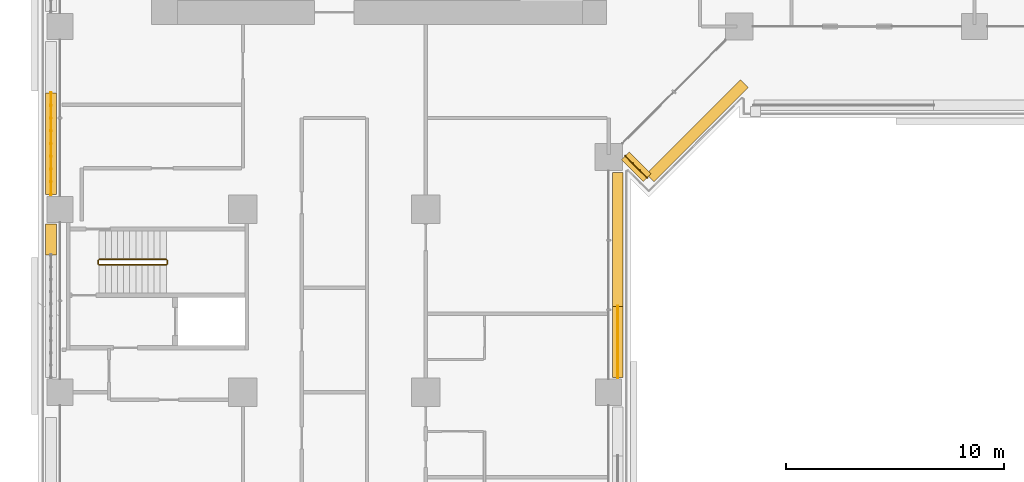
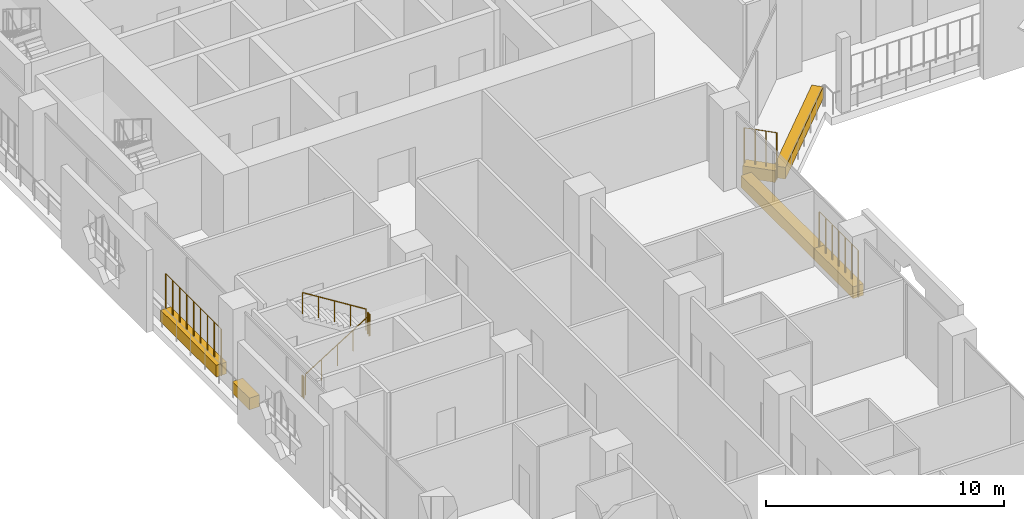
# One storey, part 23 of 29: 7 railings, 6 coverings.
"""IFC4 building model written with IfcOpenShell, lengths in metres."""

import ifcopenshell
import ifcopenshell.guid

model = None  # the IFC model being written
_history = None  # IfcOwnerHistory: only IFC2X3 demands one
_inside = {}  # id of a spatial element -> (the spatial element, [elements in it])
_under = {}  # id of a project, library or spatial element -> (it, [spatial elements below it])
_declared = {}  # id of a project -> (the project, [libraries it declares])
_typed = {}  # id of a type object -> (the type object, [elements of that type])
_made_of = {}  # id of a material, layer set ... -> (it, [elements and type objects made of it])


def new_model(schema):
    """Start an empty IFC model of exactly this schema.

    Asked for "IFC4X3", IfcOpenShell would pick the latest addendum, in which some entities
    have other attributes; the version numbers below select the first issue.
    IFC2X3 requires an IfcOwnerHistory on every rooted entity: one is made here for all.
    """
    global model, _history
    if schema == "IFC4X3":
        model = ifcopenshell.file(schema_version=(4, 3, 0, 0))
    else:
        model = ifcopenshell.file(schema=schema)
    _inside.clear()
    _under.clear()
    _declared.clear()
    _typed.clear()
    _made_of.clear()
    _history = None
    if model.schema == "IFC2X3":
        org = make("IfcOrganization", Name="unknown")
        user = make(
            "IfcPersonAndOrganization",
            ThePerson=make("IfcPerson", FamilyName="unknown"),
            TheOrganization=org,
        )
        app = make(
            "IfcApplication",
            ApplicationDeveloper=org,
            Version="unknown",
            ApplicationFullName="unknown",
            ApplicationIdentifier="unknown",
        )
        _history = make(
            "IfcOwnerHistory",
            OwningUser=user,
            OwningApplication=app,
            ChangeAction="ADDED",
            CreationDate=0,
        )
    return model


def make(cls, **values):
    """One entity of the class cls with the attributes given. An attribute that is None is left unset."""
    return model.create_entity(
        cls, **{name: value for name, value in values.items() if value is not None}
    )


def rooted(cls, **values):
    """An entity with a GlobalId (a new one), such as an element, a storey or a relation."""
    return make(cls, GlobalId=ifcopenshell.guid.new(), OwnerHistory=_history, **values)


def si_unit(unit_type, name, prefix=None):
    """IfcSIUnit, for example si_unit("LENGTHUNIT", "METRE", prefix="MILLI")."""
    return make("IfcSIUnit", UnitType=unit_type, Prefix=prefix, Name=name)


def assignment(units):
    """IfcUnitAssignment: the units of a project."""
    return None if units is None else make("IfcUnitAssignment", Units=units)


def point(xyz):
    """IfcCartesianPoint."""
    return None if xyz is None else make("IfcCartesianPoint", Coordinates=xyz)


def direction(xyz):
    """IfcDirection."""
    return None if xyz is None else make("IfcDirection", DirectionRatios=xyz)


def frame(location, z_axis=None, x_axis=None):
    """IfcAxis2Placement3D, a coordinate frame: its origin and axes. An axis left out is left unset."""
    return make(
        "IfcAxis2Placement3D",
        Location=point(location),
        Axis=direction(z_axis),
        RefDirection=direction(x_axis),
    )


def frame_2d(location, x_axis=None):
    """IfcAxis2Placement2D, a coordinate frame in the plane: its origin and x axis."""
    return make(
        "IfcAxis2Placement2D", Location=point(location), RefDirection=direction(x_axis)
    )


def origin():
    """The frame at (0, 0, 0) with its axes left unset."""
    return frame((0.0, 0.0, 0.0))


def origin_2d():
    """The frame at (0, 0) in the plane with its x axis left unset."""
    return frame_2d((0.0, 0.0))


def place(relative_to, where):
    """IfcLocalPlacement: puts the frame where relative to a parent placement (None: the world)."""
    return make(
        "IfcLocalPlacement", PlacementRelTo=relative_to, RelativePlacement=where
    )


def context(
    kind, dimensions, precision=None, world=None, true_north=None, identifier=None
):
    """IfcGeometricRepresentationContext, for example the 3D "Model" context."""
    return make(
        "IfcGeometricRepresentationContext",
        ContextIdentifier=identifier,
        ContextType=kind,
        CoordinateSpaceDimension=dimensions,
        Precision=precision,
        WorldCoordinateSystem=world,
        TrueNorth=true_north,
    )


def subcontext(parent, identifier, kind, view, scale=None):
    """IfcGeometricRepresentationSubContext, for example "Body" below "Model"."""
    return make(
        "IfcGeometricRepresentationSubContext",
        ContextIdentifier=identifier,
        ContextType=kind,
        ParentContext=parent,
        TargetScale=scale,
        TargetView=view,
    )


def project(units=None, contexts=None):
    """IfcProject with its units and contexts."""
    return rooted(
        "IfcProject",
        Name="project",
        RepresentationContexts=contexts,
        UnitsInContext=assignment(units),
    )


def spatial(cls, under=None, at=None, **own):
    """A site, building, storey or space (cls), placed at a placement, below another one or the project."""
    s = rooted(cls, ObjectPlacement=at, **own)
    if under is not None:
        _under.setdefault(under.id(), (under, []))[1].append(s)
    return s


def profile(cls, at=None, kind="AREA", **sizes):
    """A parametric profile (cls). Its sizes go by their IFC names, for example OverallWidth=200.0."""
    return make(cls, ProfileType=kind, Position=at, **sizes)


def rectangle(**sizes):
    """IfcRectangleProfileDef."""
    return profile("IfcRectangleProfileDef", **sizes)


def circle(**sizes):
    """IfcCircleProfileDef."""
    return profile("IfcCircleProfileDef", **sizes)


def extrude(swept, where, along, depth):
    """IfcExtrudedAreaSolid: the profile swept, set in the frame where, extruded along a direction by depth."""
    return make(
        "IfcExtrudedAreaSolid",
        SweptArea=swept,
        Position=where,
        ExtrudedDirection=direction(along),
        Depth=depth,
    )


def shape(context_of_items, identifier, shape_type, items):
    """IfcShapeRepresentation: the items that make up one representation, for example the "Body"."""
    return make(
        "IfcShapeRepresentation",
        ContextOfItems=context_of_items,
        RepresentationIdentifier=identifier,
        RepresentationType=shape_type,
        Items=items,
    )


def material(Name=None, Category=None):
    """IfcMaterial."""
    return make("IfcMaterial", Name=Name, Category=Category)


def material_profile(
    of_material, cross_section, Name=None, Category=None, Priority=None
):
    """IfcMaterialProfile: a cross section and its material."""
    return make(
        "IfcMaterialProfile",
        Name=Name,
        Material=of_material,
        Profile=cross_section,
        Priority=Priority,
        Category=Category,
    )


def profile_set(profiles, Name=None, composite=None):
    """IfcMaterialProfileSet."""
    return make(
        "IfcMaterialProfileSet",
        Name=Name,
        MaterialProfiles=profiles,
        CompositeProfile=composite,
    )


def made_of(thing, what):
    """Note that an element or type object is made of a material, layer set ...; save() writes the relation."""
    if what is not None:
        _made_of.setdefault(what.id(), (what, []))[1].append(thing)
    return thing


def type_object(cls, material=None, **own):
    """A type object (cls), such as IfcWallType, which elements share."""
    return made_of(rooted(cls, **own), material)


def element(
    cls,
    number,
    at=None,
    inside=None,
    cuts=None,
    type_object=None,
    material=None,
    context=None,
    identifier="Body",
    shape_type=None,
    held_by="IfcProductDefinitionShape",
    body=None,
    shapes=None,
    **own,
):
    """One element of the class cls, such as IfcWall. Its Tag is "e" and its number.

    at: its placement. inside: the storey or other place that contains it. cuts: it is an
    opening in that element (IfcRelVoidsElement). A single representation is given by context,
    identifier, shape_type and body (its items); several are given by shapes. held_by: the class
    of the entity that holds the representations. save() writes the other relations.
    """
    e = rooted(cls, Tag="e%d" % number, ObjectPlacement=at, **own)
    if body is not None:
        shapes = [shape(context, identifier, shape_type, body)]
    if shapes is not None:
        e.Representation = make(held_by, Representations=shapes)
    if inside is not None:
        _inside.setdefault(inside.id(), (inside, []))[1].append(e)
    if cuts is not None:
        rooted(
            "IfcRelVoidsElement", RelatingBuildingElement=cuts, RelatedOpeningElement=e
        )
    if type_object is not None:
        _typed.setdefault(type_object.id(), (type_object, []))[1].append(e)
    return made_of(e, material)


def aggregate(whole, parts):
    """IfcRelAggregates: a whole, such as a stair, and the parts it consists of."""
    return rooted("IfcRelAggregates", RelatingObject=whole, RelatedObjects=parts)


def save(model, path):
    """Write the relations noted so far, then the file.

    IfcRelAggregates (storeys below a building ...), IfcRelContainedInSpatialStructure (elements
    in a storey), IfcRelDefinesByType, IfcRelAssociatesMaterial and IfcRelDeclares: one each for
    every whole, place, type object, material and project.
    """
    for whole, parts in _under.values():
        aggregate(whole, parts)
    for where, things in _inside.values():
        rooted(
            "IfcRelContainedInSpatialStructure",
            RelatedElements=things,
            RelatingStructure=where,
        )
    for kind, things in _typed.values():
        rooted("IfcRelDefinesByType", RelatedObjects=things, RelatingType=kind)
    for what, things in _made_of.values():
        rooted("IfcRelAssociatesMaterial", RelatedObjects=things, RelatingMaterial=what)
    for by, libraries in _declared.values():
        rooted("IfcRelDeclares", RelatingContext=by, RelatedDefinitions=libraries)
    model.write(path)


model = new_model("IFC4")

# Units and contexts
model_context = context("Model", 3, precision=1e-05, world=origin(), true_north=direction((0.0, 1.0)))
body_context = subcontext(model_context, "Body", "Model", "MODEL_VIEW")
ifc_project = project(units=[si_unit("LENGTHUNIT", "METRE"), si_unit("AREAUNIT", "SQUARE_METRE"), si_unit("VOLUMEUNIT", "CUBIC_METRE"), si_unit("PLANEANGLEUNIT", "RADIAN"), si_unit("MASSUNIT", "GRAM", prefix="KILO")], contexts=[model_context])

# Site, building, storey
site_placement = place(None, origin())
site = spatial("IfcSite", under=ifc_project, at=site_placement, CompositionType="ELEMENT")
building_placement = place(site_placement, origin())
building = spatial("IfcBuilding", under=site, at=building_placement, Name="Kawkab Arch Medical Tower", CompositionType="ELEMENT")
storey_placement = place(building_placement, frame((0.0, 0.0, 60.199951171875)))
storey = spatial("IfcBuildingStorey", under=building, at=storey_placement, Name="L13", CompositionType="ELEMENT", Elevation=60.199951171875)

# Coverings
ifc_material_1 = material(Name="Planting soil in a precast trough", Category="concrete")
ifc_material_profile = material_profile(ifc_material_1, rectangle(XDim=0.5, YDim=0.60009765625, at=origin_2d()), Name="Trough 500x600")
ifc_profile_set = profile_set([ifc_material_profile], Name="Planting soil in a precast trough")
covering_type = type_object("IfcCoveringType", Name="Planter trough 500 x 600", PredefinedType="USERDEFINED", material=ifc_profile_set)
covering_1_placement = place(storey_placement, frame((-0.419921875, -35.699951171875, 0.300048828125), z_axis=(0.0, 1.0, 0.0), x_axis=(-1.0, 0.0, 0.0)))
element("IfcCovering", 1, at=covering_1_placement, inside=storey, type_object=covering_type, Name="Planter L13.LOG-01-01.10", ObjectType="PLANTER", PredefinedType="USERDEFINED", context=body_context, shape_type="SweptSolid", body=[
    extrude(rectangle(XDim=0.5, YDim=0.60009765625, at=origin_2d()), origin(), (0.0, 0.0, 1.0), 1.419921875),
])
covering_2_placement = place(storey_placement, frame((-0.419921875, -32.919921875, 0.300048828125), z_axis=(0.0, 1.0, 0.0), x_axis=(-1.0, 0.0, 0.0)))
element("IfcCovering", 2, at=covering_2_placement, inside=storey, type_object=covering_type, Name="Planter L13.LOG-01-01.11", ObjectType="PLANTER", PredefinedType="USERDEFINED", context=body_context, shape_type="SweptSolid", body=[
    extrude(rectangle(XDim=0.5, YDim=0.60009765625, at=origin_2d()), origin(), (0.0, 0.0, 1.0), 4.676025390625),
])
covering_3_placement = place(storey_placement, frame((31.43701171875, -27.820068359375, 0.300048828125), z_axis=(-0.707206504313, -0.707007043994, 0.0), x_axis=(0.707007043994, -0.707206504313, 0.0)))
element("IfcCovering", 3, at=covering_3_placement, inside=storey, type_object=covering_type, Name="Planter L13.LOG-01-01.42", ObjectType="PLANTER", PredefinedType="USERDEFINED", context=body_context, shape_type="SweptSolid", body=[
    extrude(rectangle(XDim=0.5, YDim=0.60009765625, at=origin_2d()), origin(), (0.0, 0.0, 1.0), 6.1201171875),
])
covering_4_placement = place(storey_placement, frame((26.967041015625, -32.14697265625, 0.300048828125), z_axis=(-0.707192746389, 0.707020805532, 0.0), x_axis=(-0.707020805532, -0.707192746389, 0.0)))
element("IfcCovering", 4, at=covering_4_placement, inside=storey, type_object=covering_type, Name="Planter L13.LOG-01-01.43", ObjectType="PLANTER", PredefinedType="USERDEFINED", context=body_context, shape_type="SweptSolid", body=[
    extrude(rectangle(XDim=0.5, YDim=0.60009765625, at=origin_2d()), origin(), (0.0, 0.0, 1.0), 1.419921875),
])
covering_5_placement = place(storey_placement, frame((25.6201171875, -31.905029296875, 0.300048828125), z_axis=(0.0, -1.0, 0.0), x_axis=(1.0, 0.0, 0.0)))
element("IfcCovering", 5, at=covering_5_placement, inside=storey, type_object=covering_type, Name="Planter L13.LOG-01-01.44", ObjectType="PLANTER", PredefinedType="USERDEFINED", context=body_context, shape_type="SweptSolid", body=[
    extrude(rectangle(XDim=0.5, YDim=0.60009765625, at=origin_2d()), origin(), (0.0, 0.0, 1.0), 6.14794921875),
])
covering_6_placement = place(storey_placement, frame((25.6201171875, -38.052978515625, 0.300048828125), z_axis=(0.0, -1.0, 0.0), x_axis=(1.0, 0.0, 0.0)))
element("IfcCovering", 6, at=covering_6_placement, inside=storey, type_object=covering_type, Name="Planter L13.LOG-01-01.45", ObjectType="PLANTER", PredefinedType="USERDEFINED", context=body_context, shape_type="SweptSolid", body=[
    extrude(rectangle(XDim=0.5, YDim=0.60009765625, at=origin_2d()), origin(), (0.0, 0.0, 1.0), 3.26708984375),
])

# Railings
ifc_material_2 = material(Name="Bronze anodised aluminium trellis for climbing plants", Category="aluminium")
railing_type_1 = type_object("IfcRailingType", Name="Planting trellis 2400", PredefinedType="USERDEFINED", material=ifc_material_2)
railing_1_placement = place(storey_placement, frame((-0.419921875, -32.919921875, 0.0)))
element("IfcRailing", 7, at=railing_1_placement, inside=storey, type_object=railing_type_1, Name="Planting trellis L13.LOG-01-01.11", ObjectType="TRELLIS", PredefinedType="USERDEFINED", context=body_context, shape_type="SweptSolid", body=[
    extrude(circle(Radius=0.01513671875, at=origin_2d()), frame((0.0, 0.0, 2.384765625), z_axis=(0.0, 1.0, 0.0), x_axis=(-1.0, 0.0, 0.0)), (0.0, 0.0, 1.0), 4.676025390625),
    extrude(circle(Radius=0.030029296875, at=origin_2d()), origin(), (0.0, 0.0, 1.0), 2.369873046875),
    extrude(circle(Radius=0.030029296875, at=origin_2d()), frame((0.0, 0.58447265625, 0.0)), (0.0, 0.0, 1.0), 2.369873046875),
    extrude(circle(Radius=0.030029296875, at=origin_2d()), frame((0.0, 1.1689453125, 0.0)), (0.0, 0.0, 1.0), 2.369873046875),
    extrude(circle(Radius=0.030029296875, at=origin_2d()), frame((0.0, 1.75341796875, 0.0)), (0.0, 0.0, 1.0), 2.369873046875),
    extrude(circle(Radius=0.030029296875, at=origin_2d()), frame((0.0, 2.337890625, 0.0)), (0.0, 0.0, 1.0), 2.369873046875),
    extrude(circle(Radius=0.030029296875, at=origin_2d()), frame((0.0, 2.922607421875, 0.0)), (0.0, 0.0, 1.0), 2.369873046875),
    extrude(circle(Radius=0.030029296875, at=origin_2d()), frame((0.0, 3.507080078125, 0.0)), (0.0, 0.0, 1.0), 2.369873046875),
    extrude(circle(Radius=0.030029296875, at=origin_2d()), frame((0.0, 4.091552734375, 0.0)), (0.0, 0.0, 1.0), 2.369873046875),
    extrude(circle(Radius=0.030029296875, at=origin_2d()), frame((0.0, 4.676025390625, 0.0)), (0.0, 0.0, 1.0), 2.369873046875),
])
railing_2_placement = place(storey_placement, frame((26.967041015625, -32.14697265625, 0.0)))
element("IfcRailing", 8, at=railing_2_placement, inside=storey, type_object=railing_type_1, Name="Planting trellis L13.LOG-01-01.43", ObjectType="TRELLIS", PredefinedType="USERDEFINED", context=body_context, shape_type="SweptSolid", body=[
    extrude(circle(Radius=0.01513671875, at=origin_2d()), frame((0.0, 0.0, 2.384765625), z_axis=(-0.707192746389, 0.707020805532, 0.0), x_axis=(-0.707020805532, -0.707192746389, 0.0)), (0.0, 0.0, 1.0), 1.419921875),
    extrude(circle(Radius=0.030029296875, at=origin_2d()), origin(), (0.0, 0.0, 1.0), 2.369873046875),
    extrude(circle(Radius=0.030029296875, at=origin_2d()), frame((-0.334716796875, 0.334716796875, 0.0)), (0.0, 0.0, 1.0), 2.369873046875),
    extrude(circle(Radius=0.030029296875, at=origin_2d()), frame((-0.66943359375, 0.669189453125, 0.0)), (0.0, 0.0, 1.0), 2.369873046875),
    extrude(circle(Radius=0.030029296875, at=origin_2d()), frame((-1.004150390625, 1.00390625, 0.0)), (0.0, 0.0, 1.0), 2.369873046875),
])
railing_3_placement = place(storey_placement, frame((25.6201171875, -38.052978515625, 0.0)))
element("IfcRailing", 9, at=railing_3_placement, inside=storey, type_object=railing_type_1, Name="Planting trellis L13.LOG-01-01.45", ObjectType="TRELLIS", PredefinedType="USERDEFINED", context=body_context, shape_type="SweptSolid", body=[
    extrude(circle(Radius=0.01513671875, at=origin_2d()), frame((0.0, 0.0, 2.384765625), z_axis=(0.0, -1.0, 0.0), x_axis=(1.0, 0.0, 0.0)), (0.0, 0.0, 1.0), 3.26708984375),
    extrude(circle(Radius=0.030029296875, at=origin_2d()), origin(), (0.0, 0.0, 1.0), 2.369873046875),
    extrude(circle(Radius=0.030029296875, at=origin_2d()), frame((0.0, -0.54443359375, 0.0)), (0.0, 0.0, 1.0), 2.369873046875),
    extrude(circle(Radius=0.030029296875, at=origin_2d()), frame((0.0, -1.089111328125, 0.0)), (0.0, 0.0, 1.0), 2.369873046875),
    extrude(circle(Radius=0.030029296875, at=origin_2d()), frame((0.0, -1.633544921875, 0.0)), (0.0, 0.0, 1.0), 2.369873046875),
    extrude(circle(Radius=0.030029296875, at=origin_2d()), frame((0.0, -2.177978515625, 0.0)), (0.0, 0.0, 1.0), 2.369873046875),
    extrude(circle(Radius=0.030029296875, at=origin_2d()), frame((0.0, -2.72265625, 0.0)), (0.0, 0.0, 1.0), 2.369873046875),
    extrude(circle(Radius=0.030029296875, at=origin_2d()), frame((0.0, -3.26708984375, 0.0)), (0.0, 0.0, 1.0), 2.369873046875),
])
ifc_material_3 = material(Name="Stainless steel", Category="steel")
railing_type_2 = type_object("IfcRailingType", Name="Stair guard 1100", PredefinedType="GUARDRAIL", material=ifc_material_3)
railing_4_placement = place(storey_placement, frame((1.800048828125, -36.14990234375, 0.175048828125)))
element("IfcRailing", 10, at=railing_4_placement, inside=storey, type_object=railing_type_2, Name="L13 ST6 stair guard 1", PredefinedType="GUARDRAIL", context=body_context, shape_type="SweptSolid", body=[
    extrude(circle(Radius=0.02392578125, at=origin_2d()), frame((0.0, 0.0, 1.076171875), z_axis=(0.847979421464, 0.0, 0.530029150871), x_axis=(0.0, 1.0, 0.0)), (0.0, 0.0, 1.0), 3.632080078125),
    extrude(circle(Radius=0.02099609375, at=origin_2d()), origin(), (0.0, 0.0, 1.0), 1.052001953125),
    extrude(circle(Radius=0.02099609375, at=origin_2d()), frame((0.77001953125, 0.0, 0.481201171875)), (0.0, 0.0, 1.0), 1.052001953125),
    extrude(circle(Radius=0.02099609375, at=origin_2d()), frame((1.5400390625, 0.0, 0.96240234375)), (0.0, 0.0, 1.0), 1.052001953125),
    extrude(circle(Radius=0.02099609375, at=origin_2d()), frame((2.309814453125, 0.0, 1.44384765625)), (0.0, 0.0, 1.0), 1.052001953125),
    extrude(circle(Radius=0.02099609375, at=origin_2d()), frame((3.079833984375, 0.0, 1.925048828125)), (0.0, 0.0, 1.0), 1.052001953125),
])
railing_5_placement = place(storey_placement, frame((4.929931640625, -36.10009765625, 2.10009765625)))
element("IfcRailing", 11, at=railing_5_placement, inside=storey, type_object=railing_type_2, Name="L13 ST6 stair guard 2", PredefinedType="GUARDRAIL", context=body_context, shape_type="SweptSolid", body=[
    extrude(circle(Radius=0.02392578125, at=origin_2d()), frame((0.0, 0.0, 1.076171875), z_axis=(0.0, 1.0, 0.0), x_axis=(-1.0, 0.0, 0.0)), (0.0, 0.0, 1.0), 0.150146484375),
    extrude(circle(Radius=0.02099609375, at=origin_2d()), origin(), (0.0, 0.0, 1.0), 1.052001953125),
    extrude(circle(Radius=0.02099609375, at=origin_2d()), frame((0.0, 0.150146484375, 0.0)), (0.0, 0.0, 1.0), 1.052001953125),
])
railing_6_placement = place(storey_placement, frame((4.8798828125, -35.89990234375, 2.275146484375)))
element("IfcRailing", 12, at=railing_6_placement, inside=storey, type_object=railing_type_2, Name="L13 ST6 stair guard 3", PredefinedType="GUARDRAIL", context=body_context, shape_type="SweptSolid", body=[
    extrude(circle(Radius=0.02392578125, at=origin_2d()), frame((0.0, 0.0, 1.076171875), z_axis=(-0.848009633417, 0.0, 0.529980812513), x_axis=(0.0, -1.0, 0.0)), (0.0, 0.0, 1.0), 3.6318359375),
    extrude(circle(Radius=0.02099609375, at=origin_2d()), origin(), (0.0, 0.0, 1.0), 1.052001953125),
    extrude(circle(Radius=0.02099609375, at=origin_2d()), frame((-0.77001953125, 0.0, 0.481201171875)), (0.0, 0.0, 1.0), 1.052001953125),
    extrude(circle(Radius=0.02099609375, at=origin_2d()), frame((-1.5400390625, 0.0, 0.96240234375)), (0.0, 0.0, 1.0), 1.052001953125),
    extrude(circle(Radius=0.02099609375, at=origin_2d()), frame((-2.309814453125, 0.0, 1.443603515625)), (0.0, 0.0, 1.0), 1.052001953125),
    extrude(circle(Radius=0.02099609375, at=origin_2d()), frame((-3.079833984375, 0.0, 1.9248046875)), (0.0, 0.0, 1.0), 1.052001953125),
])
railing_7_placement = place(storey_placement, frame((1.75, -36.10009765625, 0.0)))
element("IfcRailing", 13, at=railing_7_placement, inside=storey, type_object=railing_type_2, Name="L13 ST6 stair guard 4", PredefinedType="GUARDRAIL", context=body_context, shape_type="SweptSolid", body=[
    extrude(circle(Radius=0.02392578125, at=origin_2d()), frame((0.0, 0.0, 1.076171875), z_axis=(0.0, 1.0, 0.0), x_axis=(-1.0, 0.0, 0.0)), (0.0, 0.0, 1.0), 0.150146484375),
    extrude(circle(Radius=0.02099609375, at=origin_2d()), origin(), (0.0, 0.0, 1.0), 1.052001953125),
    extrude(circle(Radius=0.02099609375, at=origin_2d()), frame((0.0, 0.150146484375, 0.0)), (0.0, 0.0, 1.0), 1.052001953125),
])

save(model, "model.ifc")
